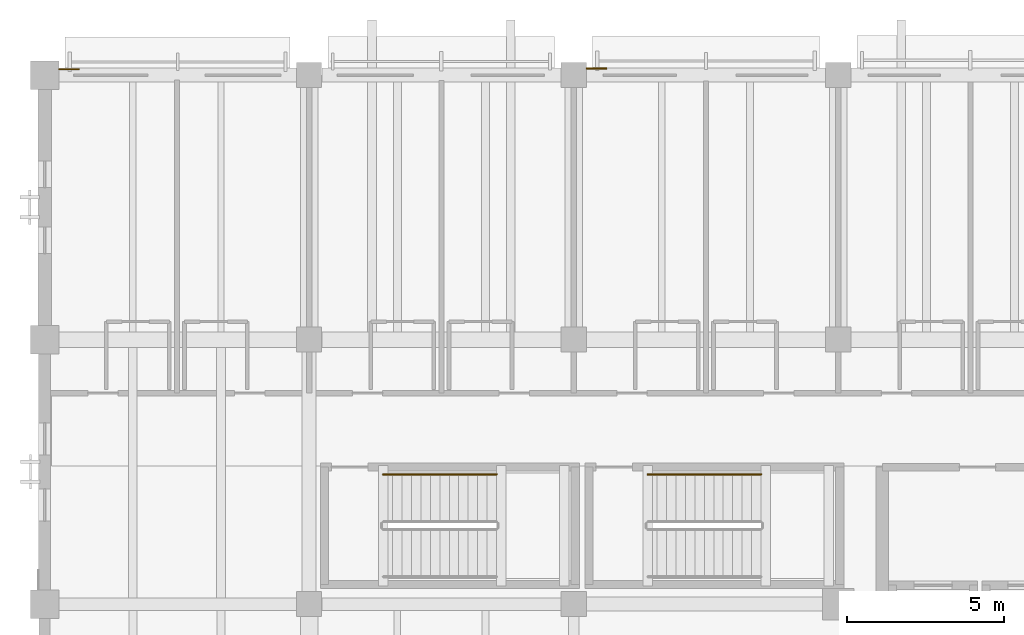
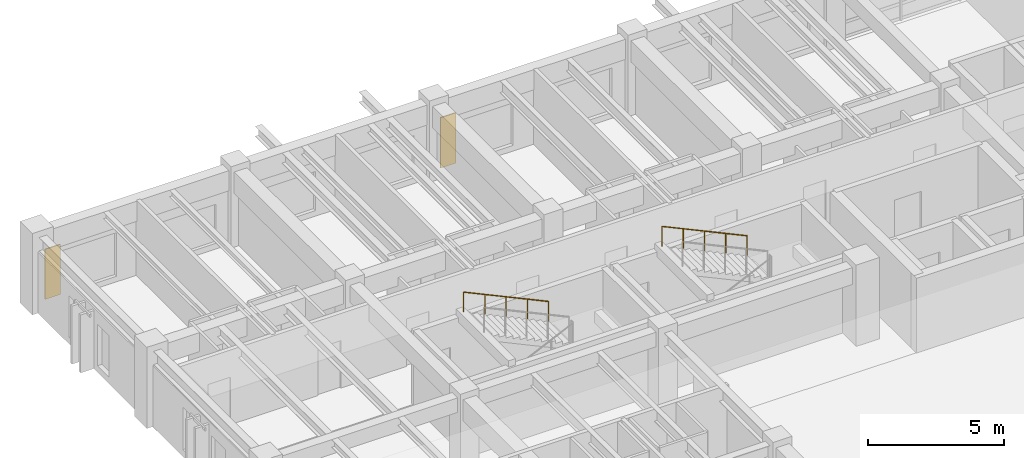
# One storey, part 103 of 118: 2 coverings, 2 railings.
"""IFC4 building model written with IfcOpenShell, lengths in metres."""

from ifc_helpers import new_model, si_unit, direction, frame, origin, origin_2d, place, context, subcontext, project, spatial, polyline, circle, outline, extrude, material, layer, layer_set, type_object, element, save


model = new_model("IFC4")

# Units and contexts
model_context = context("Model", 3, precision=1e-05, world=origin(), true_north=direction((0.0, 1.0)))
body_context = subcontext(model_context, "Body", "Model", "MODEL_VIEW")
ifc_project = project(units=[si_unit("LENGTHUNIT", "METRE"), si_unit("AREAUNIT", "SQUARE_METRE"), si_unit("VOLUMEUNIT", "CUBIC_METRE"), si_unit("PLANEANGLEUNIT", "RADIAN"), si_unit("MASSUNIT", "GRAM", prefix="KILO")], contexts=[model_context])

# Site, building, storey
site_placement = place(None, origin())
site = spatial("IfcSite", under=ifc_project, at=site_placement, CompositionType="ELEMENT")
building_placement = place(site_placement, origin())
building = spatial("IfcBuilding", under=site, at=building_placement, Name="Cumbredor Promenade Congress Hotel", CompositionType="ELEMENT")
storey_placement = place(building_placement, frame((0.0, 0.0, 3.919921875)))
storey = spatial("IfcBuildingStorey", under=building, at=storey_placement, Name="L01", CompositionType="ELEMENT", Elevation=3.919921875)

# Covering
ifc_material_1 = material(Name="Precast concrete C40/50", Category="concrete")
ifc_layer_1 = layer(ifc_material_1, 0.044921875, Name="Precast concrete C40/50", Category="concrete")
ifc_layer_set_1 = layer_set([ifc_layer_1], Name="Precast concrete C40/50")
covering_type_1 = type_object("IfcCoveringType", Name="Board-Formed Architectural Cladding Panel 45mm", PredefinedType="CLADDING", material=ifc_layer_set_1)
covering_1_placement = place(storey_placement, origin())
element("IfcCovering", 1, at=covering_1_placement, inside=storey, type_object=covering_type_1, Name="L01 Facade Stone Cladding Pier 086", PredefinedType="CLADDING", context=body_context, shape_type="SweptSolid", body=[
    extrude(outline(polyline([(17.200927734375, 117.7900390625), (17.85107421875, 117.7900390625), (17.85107421875, 117.8349609375), (17.200927734375, 117.8349609375), (17.200927734375, 117.7900390625)])), origin(), (0.0, 0.0, 1.0), 2.25),
])

# Railings
ifc_material_2 = material(Name="Brushed stainless steel", Category="steel")
railing_type = type_object("IfcRailingType", Name="Stair Pitch Handrail HR-900", PredefinedType="HANDRAIL", material=ifc_material_2)
for number, where, name in (
    (2, (14.35009765625, 104.919921875, 1.9599609375), "L01 ST-01 stair handrail 2"),
    (3, (22.75, 104.919921875, 1.9599609375), "L01 ST-02 stair handrail 2"),
):
    element("IfcRailing", number, at=place(storey_placement, frame(where)), inside=storey, type_object=railing_type, Name=name, PredefinedType="HANDRAIL", context=body_context, shape_type="SweptSolid", body=[
        extrude(circle(Radius=0.02392578125, at=origin_2d()), frame((0.0, 0.0, 0.8759765625), z_axis=(-0.906170580071, 0.0, 0.422912378411), x_axis=(0.0, -1.0, 0.0)), (0.0, 0.0, 1.0), 3.972900390625),
        extrude(circle(Radius=0.02099609375, at=origin_2d()), origin(), (0.0, 0.0, 1.0), 0.851806640625),
        extrude(circle(Radius=0.02099609375, at=origin_2d()), frame((-0.89990234375, 0.0, 0.419921875)), (0.0, 0.0, 1.0), 0.851806640625),
        extrude(circle(Radius=0.02099609375, at=origin_2d()), frame((-1.800048828125, 0.0, 0.840087890625)), (0.0, 0.0, 1.0), 0.851806640625),
        extrude(circle(Radius=0.02099609375, at=origin_2d()), frame((-2.7001953125, 0.0, 1.26025390625)), (0.0, 0.0, 1.0), 0.851806640625),
        extrude(circle(Radius=0.02099609375, at=origin_2d()), frame((-3.60009765625, 0.0, 1.68017578125)), (0.0, 0.0, 1.0), 0.851806640625),
    ])

# Covering
ifc_material_3 = material(Name="Volcanic andesite ashlar cladding", Category="masonry")
ifc_layer_2 = layer(ifc_material_3, 0.034912109375, Name="Volcanic andesite ashlar cladding", Category="masonry")
ifc_layer_set_2 = layer_set([ifc_layer_2], Name="Volcanic andesite ashlar cladding")
covering_type_2 = type_object("IfcCoveringType", Name="Volcanic Andesite Ashlar Rainscreen Cladding 35mm", PredefinedType="CLADDING", material=ifc_layer_set_2)
covering_2_placement = place(storey_placement, origin())
element("IfcCovering", 4, at=covering_2_placement, inside=storey, type_object=covering_type_2, Name="L01 Facade Stone Cladding Pier 085", PredefinedType="CLADDING", context=body_context, shape_type="SweptSolid", body=[
    extrude(outline(polyline([(0.450927734375, 117.762451171875), (1.10107421875, 117.762451171875), (1.10107421875, 117.797607421875), (0.450927734375, 117.797607421875), (0.450927734375, 117.762451171875)])), origin(), (0.0, 0.0, 1.0), 2.25),
])

save(model, "model.ifc")
